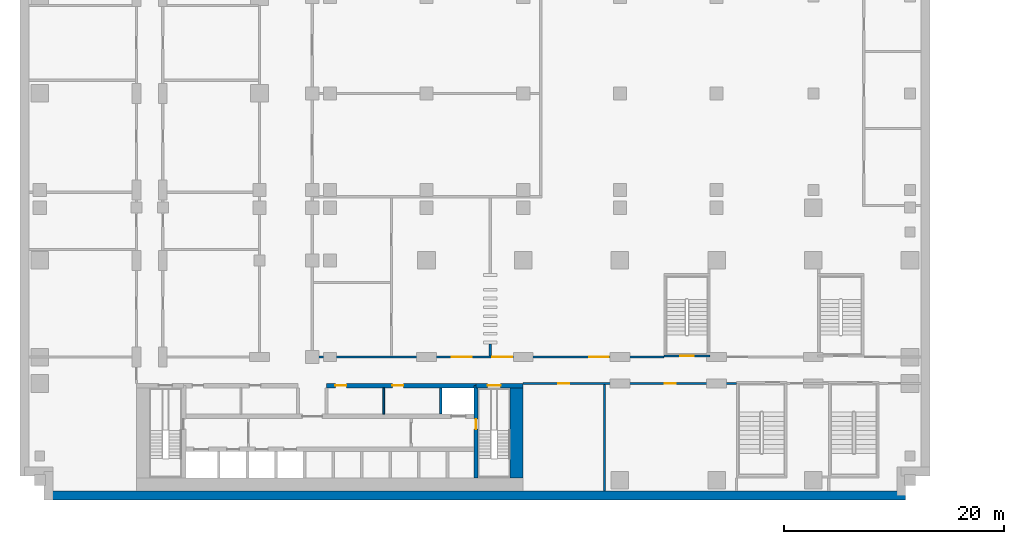
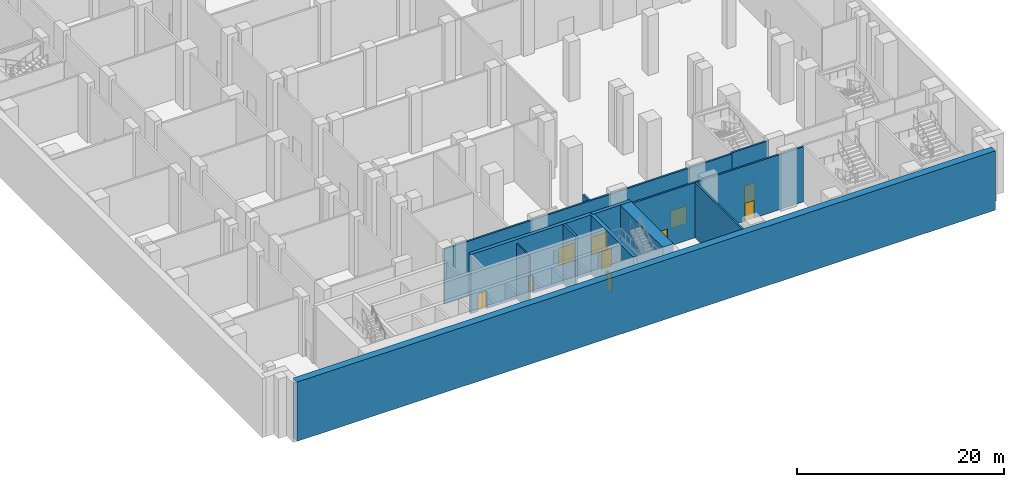
# One storey, part 4 of 15: 12 walls, 10 doors, 10 openings.
"""IFC4 building model written with IfcOpenShell, lengths in metres."""

from ifc_helpers import new_model, si_unit, direction, frame, frame_2d, origin, place, context, subcontext, project, spatial, rectangle, extrude, material, layer, layer_set, type_object, element, fill, save


model = new_model("IFC4")

# Units and contexts
model_context = context("Model", 3, precision=1e-05, world=origin(), true_north=direction((0.0, 1.0)))
body_context = subcontext(model_context, "Body", "Model", "MODEL_VIEW")
ifc_project = project(units=[si_unit("LENGTHUNIT", "METRE"), si_unit("AREAUNIT", "SQUARE_METRE"), si_unit("VOLUMEUNIT", "CUBIC_METRE"), si_unit("PLANEANGLEUNIT", "RADIAN"), si_unit("MASSUNIT", "GRAM", prefix="KILO")], contexts=[model_context])

# Site, building, storey
site_placement = place(None, origin())
site = spatial("IfcSite", under=ifc_project, at=site_placement, CompositionType="ELEMENT")
building_placement = place(site_placement, origin())
building = spatial("IfcBuilding", under=site, at=building_placement, Name="Kemantara Hotel Tower", CompositionType="ELEMENT")
storey_placement = place(building_placement, frame((0.0, 0.0, -7.0)))
storey = spatial("IfcBuildingStorey", under=building, at=storey_placement, Name="B1", CompositionType="ELEMENT", Elevation=-7.0)

# Walls
ifc_material_1 = material(Name="Concrete fc 40 MPa", Category="concrete")
ifc_layer_1 = layer(ifc_material_1, 0.800048828125)
ifc_layer_set_1 = layer_set([ifc_layer_1], Name="Concrete fc 40 MPa")
wall_type_1 = type_object("IfcWallType", Name="BASEMENT PERIMETER WALL 800 FC40", PredefinedType="SHEAR", material=ifc_layer_set_1)
wall_1_placement = place(storey_placement, frame((79.800048828125, -0.39990234375, 0.0), z_axis=(0.0, 0.0, 1.0), x_axis=(-1.0, 0.0, 0.0)))
element("IfcWall", 1, at=wall_1_placement, inside=storey, type_object=wall_type_1, Name="BASEMENT PERIMETER WALL B1 4", PredefinedType="SHEAR", context=body_context, shape_type="SweptSolid", body=[
    extrude(rectangle(XDim=78.0, YDim=0.800048828125, at=frame_2d((39.0, 0.0))), origin(), (0.0, 0.0, 1.0), 7.0),
])
ifc_material_2 = material(Name="Concrete fc 70 MPa", Category="concrete")
ifc_layer_2 = layer(ifc_material_2, 1.199951171875)
ifc_layer_set_2 = layer_set([ifc_layer_2], Name="Concrete fc 70 MPa")
wall_type_2 = type_object("IfcWallType", Name="CORE WALL 1200 FC70", PredefinedType="SHEAR", material=ifc_layer_set_2)
wall_2_placement = place(storey_placement, frame((44.39990234375, 1.199951171875, 0.0), z_axis=(0.0, 0.0, 1.0), x_axis=(0.0, 1.0, 0.0)))
element("IfcWall", 2, at=wall_2_placement, inside=storey, type_object=wall_type_2, Name="CORE WALL CW-E", PredefinedType="SHEAR", context=body_context, shape_type="SweptSolid", body=[
    extrude(rectangle(XDim=8.60009765625, YDim=1.199951171875, at=frame_2d((4.300048828125, 0.0))), origin(), (0.0, 0.0, 1.0), 7.0),
])
ifc_layer_3 = layer(ifc_material_2, 0.25)
ifc_layer_set_3 = layer_set([ifc_layer_3], Name="Concrete fc 70 MPa")
wall_type_3 = type_object("IfcWallType", Name="CORE WALL 250 FC70", PredefinedType="SHEAR", material=ifc_layer_set_3)
wall_3_placement = place(storey_placement, frame((37.5, 7.0, 0.0), z_axis=(0.0, 0.0, 1.0), x_axis=(0.0, 1.0, 0.0)))
element("IfcWall", 3, at=wall_3_placement, inside=storey, type_object=wall_type_3, Name="CORE WALL CW-DN37.5", PredefinedType="SHEAR", context=body_context, shape_type="SweptSolid", body=[
    extrude(rectangle(XDim=2.39990234375, YDim=0.25, at=frame_2d((1.199951171875, 0.0))), origin(), (0.0, 0.0, 1.0), 7.0),
])

# Wall, opening, door
ifc_layer_4 = layer(ifc_material_2, 0.39990234375)
ifc_layer_set_4 = layer_set([ifc_layer_4], Name="Concrete fc 70 MPa")
wall_type_4 = type_object("IfcWallType", Name="CORE WALL 400 FC70", PredefinedType="SHEAR", material=ifc_layer_set_4)
wall_4_placement = place(storey_placement, frame((40.699951171875, 9.60009765625, 0.0), z_axis=(0.0, 0.0, 1.0), x_axis=(1.0, 0.0, 0.0)))
wall_4 = element("IfcWall", 4, at=wall_4_placement, inside=storey, type_object=wall_type_4, Name="CORE WALL CW-N2", PredefinedType="SHEAR", context=body_context, shape_type="SweptSolid", body=[
    extrude(rectangle(XDim=4.300048828125, YDim=0.39990234375, at=frame_2d((2.14990234375, 0.0))), origin(), (0.0, 0.0, 1.0), 7.0),
])
opening_1_placement = place(wall_4_placement, frame((1.050048828125, 0.0, 0.0)))
opening_1 = element("IfcOpeningElement", 5, at=opening_1_placement, cuts=wall_4, Name="Opening C02-ST2-C", PredefinedType="OPENING", context=body_context, shape_type="SweptSolid", body=[
    extrude(rectangle(XDim=1.199951171875, YDim=2.10009765625, at=frame_2d((0.60009765625, 1.050048828125))), frame((0.0, 0.2099609375, 0.0), z_axis=(0.0, -1.0, 0.0), x_axis=(1.0, 0.0, 0.0)), (0.0, 0.0, 1.0), 0.419921875),
])
ifc_material_3 = material(Name="Steel fire door", Category="steel")
door_type_1 = type_object("IfcDoorType", Name="Fire door FD90 1200 x 2100", OperationType="NOTDEFINED", PredefinedType="DOOR", material=ifc_material_3)
door_1_placement = place(opening_1_placement, frame((1.199951171875, 0.0, 0.0), z_axis=(0.0, 0.0, 1.0), x_axis=(-1.0, 0.0, 0.0)))
door_1 = element("IfcDoor", 6, at=door_1_placement, inside=storey, type_object=door_type_1, Name="Stair ST2 door to corridor", OperationType="SINGLE_SWING_RIGHT", OverallHeight=2.10009765625, OverallWidth=1.199951171875, PredefinedType="DOOR", context=body_context, shape_type="SweptSolid", body=[
    extrude(rectangle(XDim=1.199951171875, YDim=2.10009765625, at=frame_2d((0.60009765625, 1.050048828125))), frame((0.0, 0.02490234375, 0.0), z_axis=(0.0, -1.0, 0.0), x_axis=(1.0, 0.0, 0.0)), (0.0, 0.0, 1.0), 0.050048828125),
])
fill(opening_1, door_1)

# Wall, openings, doors
wall_5_placement = place(storey_placement, frame((27.10009765625, 9.60009765625, 0.0), z_axis=(0.0, 0.0, 1.0), x_axis=(1.0, 0.0, 0.0)))
wall_5 = element("IfcWall", 7, at=wall_5_placement, inside=storey, type_object=wall_type_4, Name="CORE WALL CW-NN2", PredefinedType="SHEAR", context=body_context, shape_type="SweptSolid", body=[
    extrude(rectangle(XDim=13.599853515625, YDim=0.39990234375, at=frame_2d((6.7998046875, 0.0))), origin(), (0.0, 0.0, 1.0), 7.0),
])
opening_2_placement = place(wall_5_placement, frame((0.800048828125, 0.0, 0.0)))
opening_2 = element("IfcOpeningElement", 8, at=opening_2_placement, cuts=wall_5, Name="Opening C02-R-NE1", PredefinedType="OPENING", context=body_context, shape_type="SweptSolid", body=[
    extrude(rectangle(XDim=1.0, YDim=2.10009765625, at=frame_2d((0.5, 1.050048828125))), frame((0.0, 0.2099609375, 0.0), z_axis=(0.0, -1.0, 0.0), x_axis=(1.0, 0.0, 0.0)), (0.0, 0.0, 1.0), 0.419921875),
])
opening_3_placement = place(wall_5_placement, frame((6.0, 0.0, 0.0)))
opening_3 = element("IfcOpeningElement", 9, at=opening_3_placement, cuts=wall_5, Name="Opening C02-R-NE2", PredefinedType="OPENING", context=body_context, shape_type="SweptSolid", body=[
    extrude(rectangle(XDim=1.0, YDim=2.10009765625, at=frame_2d((0.5, 1.050048828125))), frame((0.0, 0.2099609375, 0.0), z_axis=(0.0, -1.0, 0.0), x_axis=(1.0, 0.0, 0.0)), (0.0, 0.0, 1.0), 0.419921875),
])
door_type_2 = type_object("IfcDoorType", Name="Fire door FD60 1000 x 2100", OperationType="NOTDEFINED", PredefinedType="DOOR", material=ifc_material_3)
door_2_placement = place(opening_2_placement, frame((1.0, 0.0, 0.0), z_axis=(0.0, 0.0, 1.0), x_axis=(-1.0, 0.0, 0.0)))
door_2 = element("IfcDoor", 10, at=door_2_placement, inside=storey, type_object=door_type_2, Name="Fire Pump Room door", OperationType="SINGLE_SWING_RIGHT", OverallHeight=2.10009765625, OverallWidth=1.0, PredefinedType="DOOR", context=body_context, shape_type="SweptSolid", body=[
    extrude(rectangle(XDim=1.0, YDim=2.10009765625, at=frame_2d((0.5, 1.050048828125))), frame((0.0, 0.02490234375, 0.0), z_axis=(0.0, -1.0, 0.0), x_axis=(1.0, 0.0, 0.0)), (0.0, 0.0, 1.0), 0.050048828125),
])
fill(opening_2, door_2)
door_3_placement = place(opening_3_placement, frame((1.0, 0.0, 0.0), z_axis=(0.0, 0.0, 1.0), x_axis=(-1.0, 0.0, 0.0)))
door_3 = element("IfcDoor", 11, at=door_3_placement, inside=storey, type_object=door_type_2, Name="Bms Room door", OperationType="SINGLE_SWING_RIGHT", OverallHeight=2.10009765625, OverallWidth=1.0, PredefinedType="DOOR", context=body_context, shape_type="SweptSolid", body=[
    extrude(rectangle(XDim=1.0, YDim=2.10009765625, at=frame_2d((0.5, 1.050048828125))), frame((0.0, 0.02490234375, 0.0), z_axis=(0.0, -1.0, 0.0), x_axis=(1.0, 0.0, 0.0)), (0.0, 0.0, 1.0), 0.050048828125),
])
fill(opening_3, door_3)

# Wall, opening, door
wall_6_placement = place(storey_placement, frame((40.699951171875, 1.199951171875, 0.0), z_axis=(0.0, 0.0, 1.0), x_axis=(0.0, 1.0, 0.0)))
wall_6 = element("IfcWall", 12, at=wall_6_placement, inside=storey, type_object=wall_type_4, Name="CORE WALL CW-ST2W", PredefinedType="SHEAR", context=body_context, shape_type="SweptSolid", body=[
    extrude(rectangle(XDim=8.400146484375, YDim=0.39990234375, at=frame_2d((4.2001953125, 0.0))), origin(), (0.0, 0.0, 1.0), 7.0),
])
opening_4_placement = place(wall_6_placement, frame((4.449951171875, 0.0, 0.0)))
opening_4 = element("IfcOpeningElement", 13, at=opening_4_placement, cuts=wall_6, Name="Opening C02-ST2-F", PredefinedType="OPENING", context=body_context, shape_type="SweptSolid", body=[
    extrude(rectangle(XDim=0.89990234375, YDim=2.10009765625, at=frame_2d((0.449951171875, 1.050048828125))), frame((0.0, 0.2099609375, 0.0), z_axis=(0.0, -1.0, 0.0), x_axis=(1.0, 0.0, 0.0)), (0.0, 0.0, 1.0), 0.419921875),
])
door_type_3 = type_object("IfcDoorType", Name="Fire door FD90 900 x 2100", OperationType="NOTDEFINED", PredefinedType="DOOR", material=ifc_material_3)
door_4_placement = place(opening_4_placement, frame((0.89990234375, 0.0, 0.0), z_axis=(0.0, 0.0, 1.0), x_axis=(-1.0, 0.0, 0.0)))
door_4 = element("IfcDoor", 14, at=door_4_placement, inside=storey, type_object=door_type_3, Name="Stair ST2 door to firefighting lobby", OperationType="SINGLE_SWING_LEFT", OverallHeight=2.10009765625, OverallWidth=0.89990234375, PredefinedType="DOOR", context=body_context, shape_type="SweptSolid", body=[
    extrude(rectangle(XDim=0.89990234375, YDim=2.10009765625, at=frame_2d((0.449951171875, 1.050048828125))), frame((0.0, 0.02490234375, 0.0), z_axis=(0.0, -1.0, 0.0), x_axis=(1.0, 0.0, 0.0)), (0.0, 0.0, 1.0), 0.050048828125),
])
fill(opening_4, door_4)

ifc_layer_5 = layer(ifc_material_1, 0.199951171875)
ifc_layer_set_5 = layer_set([ifc_layer_5], Name="Concrete fc 40 MPa")
wall_type_5 = type_object("IfcWallType", Name="Concrete stair wall 200 mm", PredefinedType="SHEAR", material=ifc_layer_set_5)
wall_7_placement = place(storey_placement, frame((57.800048828125, 12.300048828125, 0.0), z_axis=(0.0, 0.0, 1.0), x_axis=(1.0, 0.0, 0.0)))
wall_7 = element("IfcWall", 15, at=wall_7_placement, inside=storey, type_object=wall_type_5, Name="Stair ST3 enclosure wall with door", PredefinedType="SHEAR", context=body_context, shape_type="SweptSolid", body=[
    extrude(rectangle(XDim=4.199951171875, YDim=0.199951171875, at=frame_2d((2.10009765625, 0.0))), origin(), (0.0, 0.0, 1.0), 6.550048828125),
])
opening_5_placement = place(wall_7_placement, frame((1.5, 0.0, 0.0)))
opening_5 = element("IfcOpeningElement", 16, at=opening_5_placement, cuts=wall_7, Name="Opening ST3-C", PredefinedType="OPENING", context=body_context, shape_type="SweptSolid", body=[
    extrude(rectangle(XDim=1.199951171875, YDim=2.10009765625, at=frame_2d((0.60009765625, 1.050048828125))), frame((0.0, 0.10986328125, 0.0), z_axis=(0.0, -1.0, 0.0), x_axis=(1.0, 0.0, 0.0)), (0.0, 0.0, 1.0), 0.219970703125),
])
door_5_placement = place(opening_5_placement, origin())
door_5 = element("IfcDoor", 17, at=door_5_placement, inside=storey, type_object=door_type_1, Name="Stair ST3 door", OperationType="SINGLE_SWING_RIGHT", OverallHeight=2.10009765625, OverallWidth=1.199951171875, PredefinedType="DOOR", context=body_context, shape_type="SweptSolid", body=[
    extrude(rectangle(XDim=1.199951171875, YDim=2.10009765625, at=frame_2d((0.60009765625, 1.050048828125))), frame((0.0, 0.02490234375, 0.0), z_axis=(0.0, -1.0, 0.0), x_axis=(1.0, 0.0, 0.0)), (0.0, 0.0, 1.0), 0.050048828125),
])
fill(opening_5, door_5)

# Wall, openings, doors
ifc_material_4 = material(Name="Fire-rated gypsum board partition")
ifc_layer_6 = layer(ifc_material_4, 0.199951171875)
ifc_layer_set_6 = layer_set([ifc_layer_6], Name="Fire-rated gypsum board partition")
wall_type_6 = type_object("IfcWallType", Name="FIRE-RATED GYPSUM PARTITION 200 EI 60", PredefinedType="PARTITIONING", material=ifc_layer_set_6)
wall_8_placement = place(storey_placement, frame((25.699951171875, 12.199951171875, 0.0), z_axis=(0.0, 0.0, 1.0), x_axis=(1.0, 0.0, 0.0)))
wall_8 = element("IfcWall", 18, at=wall_8_placement, inside=storey, type_object=wall_type_6, Name="FIRE-RATED PARTITION", PredefinedType="PARTITIONING", context=body_context, shape_type="SweptSolid", body=[
    extrude(rectangle(XDim=32.10009765625, YDim=0.199951171875, at=frame_2d((16.050048828125, 0.0))), origin(), (0.0, 0.0, 1.0), 6.5),
])
opening_6_placement = place(wall_8_placement, frame((16.5, 0.0, 0.0)))
opening_6 = element("IfcOpeningElement", 19, at=opening_6_placement, cuts=wall_8, Name="Opening B1-B025", PredefinedType="OPENING", context=body_context, shape_type="SweptSolid", body=[
    extrude(rectangle(XDim=1.800048828125, YDim=2.10009765625, at=frame_2d((0.89990234375, 1.050048828125))), frame((0.0, 0.10986328125, 0.0), z_axis=(0.0, -1.0, 0.0), x_axis=(1.0, 0.0, 0.0)), (0.0, 0.0, 1.0), 0.219970703125),
])
opening_7_placement = place(wall_8_placement, frame((25.300048828125, 0.0, 0.0)))
opening_7 = element("IfcOpeningElement", 20, at=opening_7_placement, cuts=wall_8, Name="Opening B1-B026", PredefinedType="OPENING", context=body_context, shape_type="SweptSolid", body=[
    extrude(rectangle(XDim=1.800048828125, YDim=2.10009765625, at=frame_2d((0.89990234375, 1.050048828125))), frame((0.0, 0.10986328125, 0.0), z_axis=(0.0, -1.0, 0.0), x_axis=(1.0, 0.0, 0.0)), (0.0, 0.0, 1.0), 0.219970703125),
])
opening_8_placement = place(wall_8_placement, frame((12.800048828125, 0.0, 0.0)))
opening_8 = element("IfcOpeningElement", 21, at=opening_8_placement, cuts=wall_8, Name="Opening B1-B038", PredefinedType="OPENING", context=body_context, shape_type="SweptSolid", body=[
    extrude(rectangle(XDim=1.800048828125, YDim=2.10009765625, at=frame_2d((0.89990234375, 1.050048828125))), frame((0.0, 0.10986328125, 0.0), z_axis=(0.0, -1.0, 0.0), x_axis=(1.0, 0.0, 0.0)), (0.0, 0.0, 1.0), 0.219970703125),
])
ifc_material_5 = material(Name="Galvanised steel door leaf", Category="steel")
door_type_4 = type_object("IfcDoorType", Name="FIRE-RATED STEEL DOOR DOUBLE LEAF 1800 X 2100", OperationType="DOUBLE_DOOR_SINGLE_SWING", PredefinedType="DOOR", material=ifc_material_5)
door_6_placement = place(opening_6_placement, origin())
door_6 = element("IfcDoor", 22, at=door_6_placement, inside=storey, type_object=door_type_4, Name="FIRE-RATED STEEL DOOR DOUBLE LEAF", OperationType="DOUBLE_DOOR_SINGLE_SWING", OverallHeight=2.10009765625, OverallWidth=1.800048828125, PredefinedType="DOOR", context=body_context, shape_type="SweptSolid", body=[
    extrude(rectangle(XDim=1.800048828125, YDim=2.10009765625, at=frame_2d((0.89990234375, 1.050048828125))), frame((0.0, 0.02490234375, 0.0), z_axis=(0.0, -1.0, 0.0), x_axis=(1.0, 0.0, 0.0)), (0.0, 0.0, 1.0), 0.050048828125),
])
fill(opening_6, door_6)
door_7_placement = place(opening_7_placement, origin())
door_7 = element("IfcDoor", 23, at=door_7_placement, inside=storey, type_object=door_type_4, Name="FIRE-RATED STEEL DOOR DOUBLE LEAF", OperationType="DOUBLE_DOOR_SINGLE_SWING", OverallHeight=2.10009765625, OverallWidth=1.800048828125, PredefinedType="DOOR", context=body_context, shape_type="SweptSolid", body=[
    extrude(rectangle(XDim=1.800048828125, YDim=2.10009765625, at=frame_2d((0.89990234375, 1.050048828125))), frame((0.0, 0.02490234375, 0.0), z_axis=(0.0, -1.0, 0.0), x_axis=(1.0, 0.0, 0.0)), (0.0, 0.0, 1.0), 0.050048828125),
])
fill(opening_7, door_7)
door_8_placement = place(opening_8_placement, frame((1.800048828125, 0.0, 0.0), z_axis=(0.0, 0.0, 1.0), x_axis=(-1.0, 0.0, 0.0)))
door_8 = element("IfcDoor", 24, at=door_8_placement, inside=storey, type_object=door_type_4, Name="FIRE-RATED STEEL DOOR DOUBLE LEAF", OperationType="DOUBLE_DOOR_SINGLE_SWING", OverallHeight=2.10009765625, OverallWidth=1.800048828125, PredefinedType="DOOR", context=body_context, shape_type="SweptSolid", body=[
    extrude(rectangle(XDim=1.800048828125, YDim=2.10009765625, at=frame_2d((0.89990234375, 1.050048828125))), frame((0.0, 0.02490234375, 0.0), z_axis=(0.0, -1.0, 0.0), x_axis=(1.0, 0.0, 0.0)), (0.0, 0.0, 1.0), 0.050048828125),
])
fill(opening_8, door_8)

wall_9_placement = place(storey_placement, frame((45.0, 9.800048828125, 0.0), z_axis=(0.0, 0.0, 1.0), x_axis=(1.0, 0.0, 0.0)))
wall_9 = element("IfcWall", 25, at=wall_9_placement, inside=storey, type_object=wall_type_6, Name="FIRE-RATED PARTITION", PredefinedType="PARTITIONING", context=body_context, shape_type="SweptSolid", body=[
    extrude(rectangle(XDim=19.39990234375, YDim=0.199951171875, at=frame_2d((9.699951171875, 0.0))), origin(), (0.0, 0.0, 1.0), 6.5),
])
opening_9_placement = place(wall_9_placement, frame((3.199951171875, 0.0, 0.0)))
opening_9 = element("IfcOpeningElement", 26, at=opening_9_placement, cuts=wall_9, Name="Opening B1-B019", PredefinedType="OPENING", context=body_context, shape_type="SweptSolid", body=[
    extrude(rectangle(XDim=1.0, YDim=2.10009765625, at=frame_2d((0.5, 1.050048828125))), frame((0.0, 0.10986328125, 0.0), z_axis=(0.0, -1.0, 0.0), x_axis=(1.0, 0.0, 0.0)), (0.0, 0.0, 1.0), 0.219970703125),
])
opening_10_placement = place(wall_9_placement, frame((12.89990234375, 0.0, 0.0)))
opening_10 = element("IfcOpeningElement", 27, at=opening_10_placement, cuts=wall_9, Name="Opening B1-B020", PredefinedType="OPENING", context=body_context, shape_type="SweptSolid", body=[
    extrude(rectangle(XDim=1.0, YDim=2.10009765625, at=frame_2d((0.5, 1.050048828125))), frame((0.0, 0.10986328125, 0.0), z_axis=(0.0, -1.0, 0.0), x_axis=(1.0, 0.0, 0.0)), (0.0, 0.0, 1.0), 0.219970703125),
])
ifc_material_6 = material(Name="Timber veneer door leaf", Category="wood")
door_type_5 = type_object("IfcDoorType", Name="SINGLE LEAF TIMBER DOOR 1000 X 2100", OperationType="SINGLE_SWING_LEFT", PredefinedType="DOOR", material=ifc_material_6)
door_9_placement = place(opening_9_placement, origin())
door_9 = element("IfcDoor", 28, at=door_9_placement, inside=storey, type_object=door_type_5, Name="SINGLE LEAF TIMBER DOOR", OperationType="SINGLE_SWING_LEFT", OverallHeight=2.10009765625, OverallWidth=1.0, PredefinedType="DOOR", context=body_context, shape_type="SweptSolid", body=[
    extrude(rectangle(XDim=1.0, YDim=2.10009765625, at=frame_2d((0.5, 1.050048828125))), frame((0.0, 0.02490234375, 0.0), z_axis=(0.0, -1.0, 0.0), x_axis=(1.0, 0.0, 0.0)), (0.0, 0.0, 1.0), 0.050048828125),
])
fill(opening_9, door_9)
door_10_placement = place(opening_10_placement, origin())
door_10 = element("IfcDoor", 29, at=door_10_placement, inside=storey, type_object=door_type_5, Name="SINGLE LEAF TIMBER DOOR", OperationType="SINGLE_SWING_RIGHT", OverallHeight=2.10009765625, OverallWidth=1.0, PredefinedType="DOOR", context=body_context, shape_type="SweptSolid", body=[
    extrude(rectangle(XDim=1.0, YDim=2.10009765625, at=frame_2d((0.5, 1.050048828125))), frame((0.0, 0.02490234375, 0.0), z_axis=(0.0, -1.0, 0.0), x_axis=(1.0, 0.0, 0.0)), (0.0, 0.0, 1.0), 0.050048828125),
])
fill(opening_10, door_10)

# Walls
ifc_material_7 = material(Name="Gypsum board partition")
ifc_layer_7 = layer(ifc_material_7, 0.199951171875)
ifc_layer_set_7 = layer_set([ifc_layer_7], Name="Gypsum board partition")
wall_type_7 = type_object("IfcWallType", Name="GYPSUM BOARD PARTITION 200", PredefinedType="PARTITIONING", material=ifc_layer_set_7)
wall_10_placement = place(storey_placement, frame((52.39990234375, 0.0, 0.0), z_axis=(0.0, 0.0, 1.0), x_axis=(0.0, 1.0, 0.0)))
element("IfcWall", 30, at=wall_10_placement, inside=storey, type_object=wall_type_7, Name="PARTITION", PredefinedType="PARTITIONING", context=body_context, shape_type="SweptSolid", body=[
    extrude(rectangle(XDim=9.699951171875, YDim=0.199951171875, at=frame_2d((4.85009765625, 0.0))), origin(), (0.0, 0.0, 1.0), 6.5),
])
wall_11_placement = place(storey_placement, frame((42.0, 12.300048828125, 0.0), z_axis=(0.0, 0.0, 1.0), x_axis=(0.0, 1.0, 0.0)))
element("IfcWall", 31, at=wall_11_placement, inside=storey, type_object=wall_type_7, Name="PARTITION", PredefinedType="PARTITIONING", context=body_context, shape_type="SweptSolid", body=[
    extrude(rectangle(XDim=1.099853515625, YDim=0.199951171875, at=frame_2d((0.5498046875, 0.0))), origin(), (0.0, 0.0, 1.0), 6.5),
])
ifc_layer_8 = layer(ifc_material_7, 0.14990234375)
ifc_layer_set_8 = layer_set([ifc_layer_8], Name="Gypsum board partition")
wall_type_8 = type_object("IfcWallType", Name="Gypsum board partition 150 mm", PredefinedType="PARTITIONING", material=ifc_layer_set_8)
wall_12_placement = place(storey_placement, frame((32.300048828125, 7.0, 0.0), z_axis=(0.0, 0.0, 1.0), x_axis=(0.0, 1.0, 0.0)))
element("IfcWall", 32, at=wall_12_placement, inside=storey, type_object=wall_type_8, Name="Core room partition", PredefinedType="PARTITIONING", context=body_context, shape_type="SweptSolid", body=[
    extrude(rectangle(XDim=2.39990234375, YDim=0.14990234375, at=frame_2d((1.199951171875, 0.0))), origin(), (0.0, 0.0, 1.0), 6.5),
])

save(model, "model.ifc")
